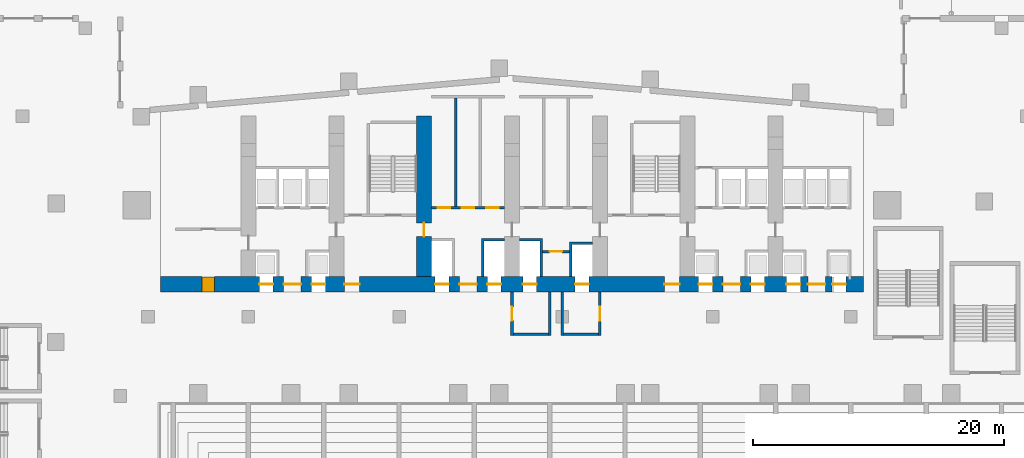
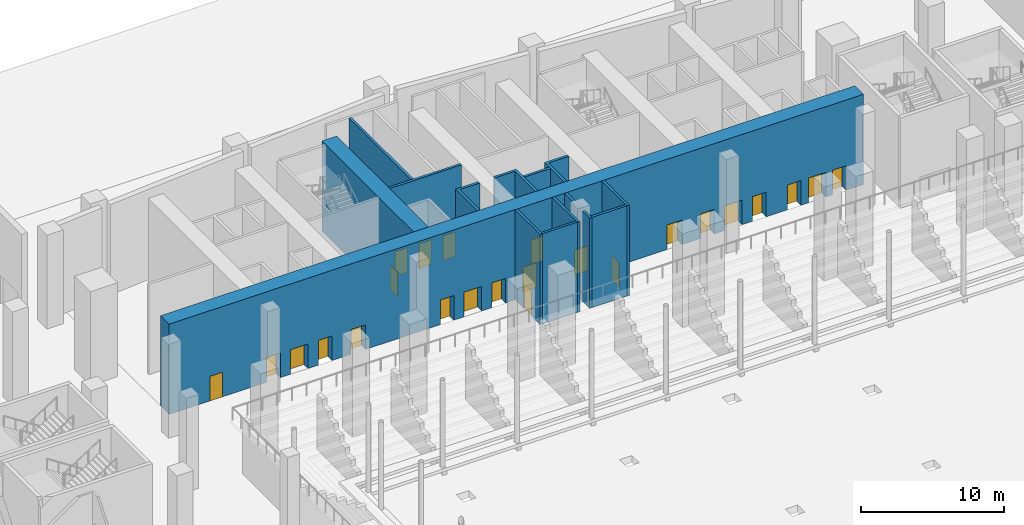
# One storey, part 25 of 41: 24 doors, 14 walls, 24 openings.
"""IFC4 building model written with IfcOpenShell, lengths in metres."""

from ifc_helpers import new_model, si_unit, direction, frame, frame_2d, origin, place, context, subcontext, project, spatial, polyline, rectangle, outline, extrude, material, layer, layer_set, type_object, element, fill, save


model = new_model("IFC4")

# Units and contexts
model_context = context("Model", 3, precision=1e-05, world=origin(), true_north=direction((0.0, 1.0)))
body_context = subcontext(model_context, "Body", "Model", "MODEL_VIEW")
ifc_project = project(units=[si_unit("LENGTHUNIT", "METRE"), si_unit("AREAUNIT", "SQUARE_METRE"), si_unit("VOLUMEUNIT", "CUBIC_METRE"), si_unit("PLANEANGLEUNIT", "RADIAN"), si_unit("MASSUNIT", "GRAM", prefix="KILO")], contexts=[model_context])

# Site, building, storey
site_placement = place(None, origin())
site = spatial("IfcSite", under=ifc_project, at=site_placement, CompositionType="ELEMENT")
building_placement = place(site_placement, origin())
building = spatial("IfcBuilding", under=site, at=building_placement, Name="Wharfspan Tower", CompositionType="ELEMENT")
storey_placement = place(building_placement, origin())
storey = spatial("IfcBuildingStorey", under=building, at=storey_placement, Name="L00", CompositionType="ELEMENT", Elevation=0.0)

# Wall
ifc_material_1 = material(Name="Calcium silicate masonry", Category="masonry")
ifc_layer_1 = layer(ifc_material_1, 0.199951)
ifc_layer_set_1 = layer_set([ifc_layer_1], Name="Calcium silicate masonry")
wall_type_1 = type_object("IfcWallType", Name="Core room wall 200", PredefinedType="PARTITIONING", material=ifc_layer_set_1)
wall_1_placement = place(storey_placement, frame((32.533203, 40.800049, 0.0), z_axis=(0.0, 0.0, 1.0), x_axis=(0.0, 1.0, 0.0)))
element("IfcWall", 1, at=wall_1_placement, inside=storey, type_object=wall_type_1, Name="sw:L00:RP3.1", PredefinedType="PARTITIONING", context=body_context, shape_type="SweptSolid", body=[
    extrude(rectangle(XDim=8.652588, YDim=0.199951, at=frame_2d((4.326172, 0.0))), origin(), (0.0, 0.0, 1.0), 7.699951),
])

# Wall, opening, door
wall_2_placement = place(storey_placement, frame((39.43335, 37.199951, 0.0), z_axis=(0.0, 0.0, 1.0), x_axis=(1.0, 0.0, 0.0)))
wall_2 = element("IfcWall", 2, at=wall_2_placement, inside=storey, type_object=wall_type_1, Name="sw:L00:FR4.2", PredefinedType="PARTITIONING", context=body_context, shape_type="SweptSolid", body=[
    extrude(rectangle(XDim=2.133301, YDim=0.199951, at=frame_2d((1.06665, 0.0))), origin(), (0.0, 0.0, 1.0), 7.699951),
])
opening_1_placement = place(wall_2_placement, frame((0.56665, 0.0, 0.0)))
opening_1 = element("IfcOpeningElement", 3, at=opening_1_placement, cuts=wall_2, Name="Opening CD00.4H2", PredefinedType="OPENING", context=body_context, shape_type="SweptSolid", body=[
    extrude(rectangle(XDim=1.0, YDim=2.100098, at=frame_2d((0.5, 1.050049))), frame((0.0, 0.109863, 0.0), z_axis=(0.0, -1.0, 0.0), x_axis=(1.0, 0.0, 0.0)), (0.0, 0.0, 1.0), 0.219971),
])
ifc_material_2 = material(Name="Steel door leaf", Category="steel")
door_type_1 = type_object("IfcDoorType", Name="Core room door 1000x2100", OperationType="SINGLE_SWING_LEFT", PredefinedType="DOOR", material=ifc_material_2)
door_1_placement = place(opening_1_placement, origin())
door_1 = element("IfcDoor", 4, at=door_1_placement, inside=storey, type_object=door_type_1, Name="d:L00:4:fh4.2", OperationType="SINGLE_SWING_RIGHT", OverallHeight=2.100098, OverallWidth=1.0, PredefinedType="DOOR", context=body_context, shape_type="SweptSolid", body=[
    extrude(rectangle(XDim=1.0, YDim=2.100098, at=frame_2d((0.5, 1.050049))), frame((0.0, 0.024902, 0.0), z_axis=(0.0, -1.0, 0.0), x_axis=(1.0, 0.0, 0.0)), (0.0, 0.0, 1.0), 0.050049),
])
fill(opening_1, door_1)

# Wall, openings, doors
ifc_material_3 = material(Name="Concrete C70/85", Category="concrete")
ifc_layer_2 = layer(ifc_material_3, 1.199951)
ifc_layer_set_2 = layer_set([ifc_layer_2], Name="Concrete C70/85")
wall_type_2 = type_object("IfcWallType", Name="Core wall fallback 1.2", PredefinedType="SHEAR", material=ifc_layer_set_2)
wall_3_placement = place(storey_placement, frame((9.0, 34.600098, 0.0), z_axis=(0.0, 0.0, 1.0), x_axis=(1.0, 0.0, 0.0)))
wall_3 = element("IfcWall", 5, at=wall_3_placement, inside=storey, type_object=wall_type_2, Name="cw:L00:FW", PredefinedType="SHEAR", context=body_context, shape_type="SweptSolid", body=[
    extrude(rectangle(XDim=56.0, YDim=1.199951, at=frame_2d((28.0, 0.0))), origin(), (0.0, 0.0, 1.0), 7.699951),
])
opening_2_placement = place(wall_3_placement, frame((3.300049, 0.0, 0.0)))
opening_2 = element("IfcOpeningElement", 6, at=opening_2_placement, cuts=wall_3, Name="Opening CD00.01", PredefinedType="OPENING", context=body_context, shape_type="SweptSolid", body=[
    extrude(rectangle(XDim=1.0, YDim=2.100098, at=frame_2d((0.5, 1.050049))), frame((0.0, 0.609863, 0.0), z_axis=(0.0, -1.0, 0.0), x_axis=(1.0, 0.0, 0.0)), (0.0, 0.0, 1.0), 1.219971),
])
opening_3_placement = place(wall_3_placement, frame((7.866699, 0.0, 0.0)))
opening_3 = element("IfcOpeningElement", 7, at=opening_3_placement, cuts=wall_3, Name="Opening LD.LA1.L00", PredefinedType="OPENING", context=body_context, shape_type="SweptSolid", body=[
    extrude(rectangle(XDim=1.100098, YDim=2.100098, at=frame_2d((0.550049, 1.050049))), frame((0.0, 0.609863, 0.0), z_axis=(0.0, -1.0, 0.0), x_axis=(1.0, 0.0, 0.0)), (0.0, 0.0, 1.0), 1.219971),
])
opening_4_placement = place(wall_3_placement, frame((12.033203, 0.0, 0.0)))
opening_4 = element("IfcOpeningElement", 8, at=opening_4_placement, cuts=wall_3, Name="Opening LD.LA2.L00", PredefinedType="OPENING", context=body_context, shape_type="SweptSolid", body=[
    extrude(rectangle(XDim=1.100098, YDim=2.100098, at=frame_2d((0.550049, 1.050049))), frame((0.0, 0.609863, 0.0), z_axis=(0.0, -1.0, 0.0), x_axis=(1.0, 0.0, 0.0)), (0.0, 0.0, 1.0), 1.219971),
])
opening_5_placement = place(wall_3_placement, frame((9.800049, 0.0, 0.0)))
opening_5 = element("IfcOpeningElement", 9, at=opening_5_placement, cuts=wall_3, Name="Opening HD00.1", PredefinedType="OPENING", context=body_context, shape_type="SweptSolid", body=[
    extrude(rectangle(XDim=1.399902, YDim=2.100098, at=frame_2d((0.699951, 1.050049))), frame((0.0, 0.609863, 0.0), z_axis=(0.0, -1.0, 0.0), x_axis=(1.0, 0.0, 0.0)), (0.0, 0.0, 1.0), 1.219971),
])
opening_6_placement = place(wall_3_placement, frame((14.649902, 0.0, 0.0)))
opening_6 = element("IfcOpeningElement", 10, at=opening_6_placement, cuts=wall_3, Name="Opening SV2.L00", PredefinedType="OPENING", context=body_context, shape_type="SweptSolid", body=[
    extrude(rectangle(XDim=1.199951, YDim=2.100098, at=frame_2d((0.600098, 1.050049))), frame((0.0, 0.609863, 0.0), z_axis=(0.0, -1.0, 0.0), x_axis=(1.0, 0.0, 0.0)), (0.0, 0.0, 1.0), 1.219971),
])
opening_7_placement = place(wall_3_placement, frame((21.866699, 0.0, 0.0)))
opening_7 = element("IfcOpeningElement", 11, at=opening_7_placement, cuts=wall_3, Name="Opening LD.SL1.L00", PredefinedType="OPENING", context=body_context, shape_type="SweptSolid", body=[
    extrude(rectangle(XDim=1.100098, YDim=2.100098, at=frame_2d((0.550049, 1.050049))), frame((0.0, 0.609863, 0.0), z_axis=(0.0, -1.0, 0.0), x_axis=(1.0, 0.0, 0.0)), (0.0, 0.0, 1.0), 1.219971),
])
opening_8_placement = place(wall_3_placement, frame((26.033203, 0.0, 0.0)))
opening_8 = element("IfcOpeningElement", 12, at=opening_8_placement, cuts=wall_3, Name="Opening LD.SL2.L00", PredefinedType="OPENING", context=body_context, shape_type="SweptSolid", body=[
    extrude(rectangle(XDim=1.100098, YDim=2.100098, at=frame_2d((0.550049, 1.050049))), frame((0.0, 0.609863, 0.0), z_axis=(0.0, -1.0, 0.0), x_axis=(1.0, 0.0, 0.0)), (0.0, 0.0, 1.0), 1.219971),
])
opening_9_placement = place(wall_3_placement, frame((23.800049, 0.0, 0.0)))
opening_9 = element("IfcOpeningElement", 13, at=opening_9_placement, cuts=wall_3, Name="Opening HD00.3", PredefinedType="OPENING", context=body_context, shape_type="SweptSolid", body=[
    extrude(rectangle(XDim=1.399902, YDim=2.100098, at=frame_2d((0.699951, 1.050049))), frame((0.0, 0.609863, 0.0), z_axis=(0.0, -1.0, 0.0), x_axis=(1.0, 0.0, 0.0)), (0.0, 0.0, 1.0), 1.219971),
])
opening_10_placement = place(wall_3_placement, frame((28.866699, 0.0, 0.0)))
opening_10 = element("IfcOpeningElement", 14, at=opening_10_placement, cuts=wall_3, Name="Opening LD.FF1.L00", PredefinedType="OPENING", context=body_context, shape_type="SweptSolid", body=[
    extrude(rectangle(XDim=1.100098, YDim=2.100098, at=frame_2d((0.550049, 1.050049))), frame((0.0, 0.609863, 0.0), z_axis=(0.0, -1.0, 0.0), x_axis=(1.0, 0.0, 0.0)), (0.0, 0.0, 1.0), 1.219971),
])
opening_11_placement = place(wall_3_placement, frame((33.033203, 0.0, 0.0)))
opening_11 = element("IfcOpeningElement", 15, at=opening_11_placement, cuts=wall_3, Name="Opening LD.FF2.L00", PredefinedType="OPENING", context=body_context, shape_type="SweptSolid", body=[
    extrude(rectangle(XDim=1.100098, YDim=2.100098, at=frame_2d((0.550049, 1.050049))), frame((0.0, 0.609863, 0.0), z_axis=(0.0, -1.0, 0.0), x_axis=(1.0, 0.0, 0.0)), (0.0, 0.0, 1.0), 1.219971),
])
opening_12_placement = place(wall_3_placement, frame((40.149902, 0.0, 0.0)))
opening_12 = element("IfcOpeningElement", 16, at=opening_12_placement, cuts=wall_3, Name="Opening SV5.L00", PredefinedType="OPENING", context=body_context, shape_type="SweptSolid", body=[
    extrude(rectangle(XDim=1.199951, YDim=2.100098, at=frame_2d((0.600098, 1.050049))), frame((0.0, 0.609863, 0.0), z_axis=(0.0, -1.0, 0.0), x_axis=(1.0, 0.0, 0.0)), (0.0, 0.0, 1.0), 1.219971),
])
opening_13_placement = place(wall_3_placement, frame((42.866699, 0.0, 0.0)))
opening_13 = element("IfcOpeningElement", 17, at=opening_13_placement, cuts=wall_3, Name="Opening LD.LS1.L00", PredefinedType="OPENING", context=body_context, shape_type="SweptSolid", body=[
    extrude(rectangle(XDim=1.100098, YDim=2.100098, at=frame_2d((0.550049, 1.050049))), frame((0.0, 0.609863, 0.0), z_axis=(0.0, -1.0, 0.0), x_axis=(1.0, 0.0, 0.0)), (0.0, 0.0, 1.0), 1.219971),
])
opening_14_placement = place(wall_3_placement, frame((47.033203, 0.0, 0.0)))
opening_14 = element("IfcOpeningElement", 18, at=opening_14_placement, cuts=wall_3, Name="Opening LD.LS2.L00", PredefinedType="OPENING", context=body_context, shape_type="SweptSolid", body=[
    extrude(rectangle(XDim=1.100098, YDim=2.100098, at=frame_2d((0.550049, 1.050049))), frame((0.0, 0.609863, 0.0), z_axis=(0.0, -1.0, 0.0), x_axis=(1.0, 0.0, 0.0)), (0.0, 0.0, 1.0), 1.219971),
])
opening_15_placement = place(wall_3_placement, frame((44.800049, 0.0, 0.0)))
opening_15 = element("IfcOpeningElement", 19, at=opening_15_placement, cuts=wall_3, Name="Opening HD00.6", PredefinedType="OPENING", context=body_context, shape_type="SweptSolid", body=[
    extrude(rectangle(XDim=1.399902, YDim=2.100098, at=frame_2d((0.699951, 1.050049))), frame((0.0, 0.609863, 0.0), z_axis=(0.0, -1.0, 0.0), x_axis=(1.0, 0.0, 0.0)), (0.0, 0.0, 1.0), 1.219971),
])
opening_16_placement = place(wall_3_placement, frame((49.866699, 0.0, 0.0)))
opening_16 = element("IfcOpeningElement", 20, at=opening_16_placement, cuts=wall_3, Name="Opening LD.LA6.L00", PredefinedType="OPENING", context=body_context, shape_type="SweptSolid", body=[
    extrude(rectangle(XDim=1.100098, YDim=2.100098, at=frame_2d((0.550049, 1.050049))), frame((0.0, 0.609863, 0.0), z_axis=(0.0, -1.0, 0.0), x_axis=(1.0, 0.0, 0.0)), (0.0, 0.0, 1.0), 1.219971),
])
opening_17_placement = place(wall_3_placement, frame((53.5, 0.0, 0.0)))
opening_17 = element("IfcOpeningElement", 21, at=opening_17_placement, cuts=wall_3, Name="Opening LD.LA7.L00", PredefinedType="OPENING", context=body_context, shape_type="SweptSolid", body=[
    extrude(rectangle(XDim=1.100098, YDim=2.100098, at=frame_2d((0.550049, 1.050049))), frame((0.0, 0.609863, 0.0), z_axis=(0.0, -1.0, 0.0), x_axis=(1.0, 0.0, 0.0)), (0.0, 0.0, 1.0), 1.219971),
])
opening_18_placement = place(wall_3_placement, frame((51.56665, 0.0, 0.0)))
opening_18 = element("IfcOpeningElement", 22, at=opening_18_placement, cuts=wall_3, Name="Opening HD00.7", PredefinedType="OPENING", context=body_context, shape_type="SweptSolid", body=[
    extrude(rectangle(XDim=1.399902, YDim=2.100098, at=frame_2d((0.699951, 1.050049))), frame((0.0, 0.609863, 0.0), z_axis=(0.0, -1.0, 0.0), x_axis=(1.0, 0.0, 0.0)), (0.0, 0.0, 1.0), 1.219971),
])
door_2_placement = place(opening_2_placement, origin())
door_2 = element("IfcDoor", 23, at=door_2_placement, inside=storey, type_object=door_type_1, Name="d:L00:0:rf", OperationType="SINGLE_SWING_LEFT", OverallHeight=2.100098, OverallWidth=1.0, PredefinedType="DOOR", context=body_context, shape_type="SweptSolid", body=[
    extrude(rectangle(XDim=1.0, YDim=2.100098, at=frame_2d((0.5, 1.050049))), frame((0.0, 0.599609, 0.0), z_axis=(0.0, -1.0, 0.0), x_axis=(1.0, 0.0, 0.0)), (0.0, 0.0, 1.0), 1.199463),
])
fill(opening_2, door_2)
door_type_2 = type_object("IfcDoorType", Name="Hall entry door 1400x2100", OperationType="DOUBLE_DOOR_SINGLE_SWING", PredefinedType="DOOR", material=ifc_material_2)
door_3_placement = place(opening_5_placement, origin())
door_3 = element("IfcDoor", 24, at=door_3_placement, inside=storey, type_object=door_type_2, Name="d:L00:1:hd1", OperationType="DOUBLE_DOOR_SINGLE_SWING", OverallHeight=2.100098, OverallWidth=1.399902, PredefinedType="DOOR", context=body_context, shape_type="SweptSolid", body=[
    extrude(rectangle(XDim=1.399902, YDim=2.100098, at=frame_2d((0.699951, 1.050049))), frame((0.0, 0.024902, 0.0), z_axis=(0.0, -1.0, 0.0), x_axis=(1.0, 0.0, 0.0)), (0.0, 0.0, 1.0), 0.050049),
])
fill(opening_5, door_3)
door_4_placement = place(opening_9_placement, origin())
door_4 = element("IfcDoor", 25, at=door_4_placement, inside=storey, type_object=door_type_2, Name="d:L00:3:hd3", OperationType="DOUBLE_DOOR_SINGLE_SWING", OverallHeight=2.100098, OverallWidth=1.399902, PredefinedType="DOOR", context=body_context, shape_type="SweptSolid", body=[
    extrude(rectangle(XDim=1.399902, YDim=2.100098, at=frame_2d((0.699951, 1.050049))), frame((0.0, 0.024902, 0.0), z_axis=(0.0, -1.0, 0.0), x_axis=(1.0, 0.0, 0.0)), (0.0, 0.0, 1.0), 0.050049),
])
fill(opening_9, door_4)
door_5_placement = place(opening_15_placement, origin())
door_5 = element("IfcDoor", 26, at=door_5_placement, inside=storey, type_object=door_type_2, Name="d:L00:6:hd6", OperationType="DOUBLE_DOOR_SINGLE_SWING", OverallHeight=2.100098, OverallWidth=1.399902, PredefinedType="DOOR", context=body_context, shape_type="SweptSolid", body=[
    extrude(rectangle(XDim=1.399902, YDim=2.100098, at=frame_2d((0.699951, 1.050049))), frame((0.0, 0.024902, 0.0), z_axis=(0.0, -1.0, 0.0), x_axis=(1.0, 0.0, 0.0)), (0.0, 0.0, 1.0), 0.050049),
])
fill(opening_15, door_5)
door_6_placement = place(opening_18_placement, origin())
door_6 = element("IfcDoor", 27, at=door_6_placement, inside=storey, type_object=door_type_2, Name="d:L00:7:hd7", OperationType="DOUBLE_DOOR_SINGLE_SWING", OverallHeight=2.100098, OverallWidth=1.399902, PredefinedType="DOOR", context=body_context, shape_type="SweptSolid", body=[
    extrude(rectangle(XDim=1.399902, YDim=2.100098, at=frame_2d((0.699951, 1.050049))), frame((0.0, 0.024902, 0.0), z_axis=(0.0, -1.0, 0.0), x_axis=(1.0, 0.0, 0.0)), (0.0, 0.0, 1.0), 0.050049),
])
fill(opening_18, door_6)
ifc_material_4 = material(Name="Stainless steel", Category="steel")
door_type_3 = type_object("IfcDoorType", Name="Lift landing door 1100x2100", OperationType="DOUBLE_DOOR_SLIDING", PredefinedType="DOOR", material=ifc_material_4)
door_7_placement = place(opening_3_placement, origin())
door_7 = element("IfcDoor", 28, at=door_7_placement, inside=storey, type_object=door_type_3, Name="Landing door LA1 L00", OperationType="DOUBLE_DOOR_SLIDING", OverallHeight=2.100098, OverallWidth=1.100098, PredefinedType="DOOR", context=body_context, shape_type="SweptSolid", body=[
    extrude(rectangle(XDim=1.100098, YDim=2.100098, at=frame_2d((0.550049, 1.050049))), frame((0.0, 0.024902, 0.0), z_axis=(0.0, -1.0, 0.0), x_axis=(1.0, 0.0, 0.0)), (0.0, 0.0, 1.0), 0.050049),
])
fill(opening_3, door_7)
door_8_placement = place(opening_4_placement, origin())
door_8 = element("IfcDoor", 29, at=door_8_placement, inside=storey, type_object=door_type_3, Name="Landing door LA2 L00", OperationType="DOUBLE_DOOR_SLIDING", OverallHeight=2.100098, OverallWidth=1.100098, PredefinedType="DOOR", context=body_context, shape_type="SweptSolid", body=[
    extrude(rectangle(XDim=1.100098, YDim=2.100098, at=frame_2d((0.550049, 1.050049))), frame((0.0, 0.024902, 0.0), z_axis=(0.0, -1.0, 0.0), x_axis=(1.0, 0.0, 0.0)), (0.0, 0.0, 1.0), 0.050049),
])
fill(opening_4, door_8)
door_9_placement = place(opening_7_placement, origin())
door_9 = element("IfcDoor", 30, at=door_9_placement, inside=storey, type_object=door_type_3, Name="Landing door SL1 L00", OperationType="DOUBLE_DOOR_SLIDING", OverallHeight=2.100098, OverallWidth=1.100098, PredefinedType="DOOR", context=body_context, shape_type="SweptSolid", body=[
    extrude(rectangle(XDim=1.100098, YDim=2.100098, at=frame_2d((0.550049, 1.050049))), frame((0.0, 0.024902, 0.0), z_axis=(0.0, -1.0, 0.0), x_axis=(1.0, 0.0, 0.0)), (0.0, 0.0, 1.0), 0.050049),
])
fill(opening_7, door_9)
door_10_placement = place(opening_8_placement, origin())
door_10 = element("IfcDoor", 31, at=door_10_placement, inside=storey, type_object=door_type_3, Name="Landing door SL2 L00", OperationType="DOUBLE_DOOR_SLIDING", OverallHeight=2.100098, OverallWidth=1.100098, PredefinedType="DOOR", context=body_context, shape_type="SweptSolid", body=[
    extrude(rectangle(XDim=1.100098, YDim=2.100098, at=frame_2d((0.550049, 1.050049))), frame((0.0, 0.024902, 0.0), z_axis=(0.0, -1.0, 0.0), x_axis=(1.0, 0.0, 0.0)), (0.0, 0.0, 1.0), 0.050049),
])
fill(opening_8, door_10)
door_11_placement = place(opening_10_placement, origin())
door_11 = element("IfcDoor", 32, at=door_11_placement, inside=storey, type_object=door_type_3, Name="Landing door FF1 L00", OperationType="DOUBLE_DOOR_SLIDING", OverallHeight=2.100098, OverallWidth=1.100098, PredefinedType="DOOR", context=body_context, shape_type="SweptSolid", body=[
    extrude(rectangle(XDim=1.100098, YDim=2.100098, at=frame_2d((0.550049, 1.050049))), frame((0.0, 0.024902, 0.0), z_axis=(0.0, -1.0, 0.0), x_axis=(1.0, 0.0, 0.0)), (0.0, 0.0, 1.0), 0.050049),
])
fill(opening_10, door_11)
door_12_placement = place(opening_11_placement, origin())
door_12 = element("IfcDoor", 33, at=door_12_placement, inside=storey, type_object=door_type_3, Name="Landing door FF2 L00", OperationType="DOUBLE_DOOR_SLIDING", OverallHeight=2.100098, OverallWidth=1.100098, PredefinedType="DOOR", context=body_context, shape_type="SweptSolid", body=[
    extrude(rectangle(XDim=1.100098, YDim=2.100098, at=frame_2d((0.550049, 1.050049))), frame((0.0, 0.024902, 0.0), z_axis=(0.0, -1.0, 0.0), x_axis=(1.0, 0.0, 0.0)), (0.0, 0.0, 1.0), 0.050049),
])
fill(opening_11, door_12)
door_13_placement = place(opening_13_placement, origin())
door_13 = element("IfcDoor", 34, at=door_13_placement, inside=storey, type_object=door_type_3, Name="Landing door LS1 L00", OperationType="DOUBLE_DOOR_SLIDING", OverallHeight=2.100098, OverallWidth=1.100098, PredefinedType="DOOR", context=body_context, shape_type="SweptSolid", body=[
    extrude(rectangle(XDim=1.100098, YDim=2.100098, at=frame_2d((0.550049, 1.050049))), frame((0.0, 0.024902, 0.0), z_axis=(0.0, -1.0, 0.0), x_axis=(1.0, 0.0, 0.0)), (0.0, 0.0, 1.0), 0.050049),
])
fill(opening_13, door_13)
door_14_placement = place(opening_14_placement, origin())
door_14 = element("IfcDoor", 35, at=door_14_placement, inside=storey, type_object=door_type_3, Name="Landing door LS2 L00", OperationType="DOUBLE_DOOR_SLIDING", OverallHeight=2.100098, OverallWidth=1.100098, PredefinedType="DOOR", context=body_context, shape_type="SweptSolid", body=[
    extrude(rectangle(XDim=1.100098, YDim=2.100098, at=frame_2d((0.550049, 1.050049))), frame((0.0, 0.024902, 0.0), z_axis=(0.0, -1.0, 0.0), x_axis=(1.0, 0.0, 0.0)), (0.0, 0.0, 1.0), 0.050049),
])
fill(opening_14, door_14)
door_15_placement = place(opening_16_placement, origin())
door_15 = element("IfcDoor", 36, at=door_15_placement, inside=storey, type_object=door_type_3, Name="Landing door LA6 L00", OperationType="DOUBLE_DOOR_SLIDING", OverallHeight=2.100098, OverallWidth=1.100098, PredefinedType="DOOR", context=body_context, shape_type="SweptSolid", body=[
    extrude(rectangle(XDim=1.100098, YDim=2.100098, at=frame_2d((0.550049, 1.050049))), frame((0.0, 0.024902, 0.0), z_axis=(0.0, -1.0, 0.0), x_axis=(1.0, 0.0, 0.0)), (0.0, 0.0, 1.0), 0.050049),
])
fill(opening_16, door_15)
door_16_placement = place(opening_17_placement, origin())
door_16 = element("IfcDoor", 37, at=door_16_placement, inside=storey, type_object=door_type_3, Name="Landing door LA7 L00", OperationType="DOUBLE_DOOR_SLIDING", OverallHeight=2.100098, OverallWidth=1.100098, PredefinedType="DOOR", context=body_context, shape_type="SweptSolid", body=[
    extrude(rectangle(XDim=1.100098, YDim=2.100098, at=frame_2d((0.550049, 1.050049))), frame((0.0, 0.024902, 0.0), z_axis=(0.0, -1.0, 0.0), x_axis=(1.0, 0.0, 0.0)), (0.0, 0.0, 1.0), 0.050049),
])
fill(opening_17, door_16)
door_type_4 = type_object("IfcDoorType", Name="Stair door 1200x2100", OperationType="SINGLE_SWING_LEFT", PredefinedType="DOOR", material=ifc_material_2)
door_17_placement = place(opening_6_placement, origin())
door_17 = element("IfcDoor", 38, at=door_17_placement, inside=storey, type_object=door_type_4, Name="vd:L00:2", OperationType="SINGLE_SWING_LEFT", OverallHeight=2.100098, OverallWidth=1.199951, PredefinedType="DOOR", context=body_context, shape_type="SweptSolid", body=[
    extrude(rectangle(XDim=1.199951, YDim=2.100098, at=frame_2d((0.600098, 1.050049))), frame((0.0, 0.024902, 0.0), z_axis=(0.0, -1.0, 0.0), x_axis=(1.0, 0.0, 0.0)), (0.0, 0.0, 1.0), 0.050049),
])
fill(opening_6, door_17)
door_18_placement = place(opening_12_placement, origin())
door_18 = element("IfcDoor", 39, at=door_18_placement, inside=storey, type_object=door_type_4, Name="vd:L00:5", OperationType="SINGLE_SWING_LEFT", OverallHeight=2.100098, OverallWidth=1.199951, PredefinedType="DOOR", context=body_context, shape_type="SweptSolid", body=[
    extrude(rectangle(XDim=1.199951, YDim=2.100098, at=frame_2d((0.600098, 1.050049))), frame((0.0, 0.024902, 0.0), z_axis=(0.0, -1.0, 0.0), x_axis=(1.0, 0.0, 0.0)), (0.0, 0.0, 1.0), 0.050049),
])
fill(opening_12, door_18)

# Wall, opening, door
wall_4_placement = place(storey_placement, frame((30.0, 35.199951, 0.0), z_axis=(0.0, 0.0, 1.0), x_axis=(0.0, 1.0, 0.0)))
wall_4 = element("IfcWall", 40, at=wall_4_placement, inside=storey, type_object=wall_type_2, Name="cw:L00:X3", PredefinedType="SHEAR", context=body_context, shape_type="SweptSolid", body=[
    extrude(rectangle(XDim=12.800049, YDim=1.199951, at=frame_2d((6.399902, 0.0))), origin(), (0.0, 0.0, 1.0), 7.699951),
])
opening_19_placement = place(wall_4_placement, frame((3.199951, 0.0, 0.0)))
opening_19 = element("IfcOpeningElement", 41, at=opening_19_placement, cuts=wall_4, Name="Opening CC00.3", PredefinedType="OPENING", context=body_context, shape_type="SweptSolid", body=[
    extrude(rectangle(XDim=1.100098, YDim=2.100098, at=frame_2d((0.550049, 1.050049))), frame((0.0, 0.609863, 0.0), z_axis=(0.0, -1.0, 0.0), x_axis=(1.0, 0.0, 0.0)), (0.0, 0.0, 1.0), 1.219971),
])
door_type_5 = type_object("IfcDoorType", Name="Core corridor door 1100x2100", OperationType="SINGLE_SWING_LEFT", PredefinedType="DOOR", material=ifc_material_2)
door_19_placement = place(opening_19_placement, origin())
door_19 = element("IfcDoor", 42, at=door_19_placement, inside=storey, type_object=door_type_5, Name="xd:L00:3", OperationType="SINGLE_SWING_LEFT", OverallHeight=2.100098, OverallWidth=1.100098, PredefinedType="DOOR", context=body_context, shape_type="SweptSolid", body=[
    extrude(rectangle(XDim=1.100098, YDim=2.100098, at=frame_2d((0.550049, 1.050049))), frame((0.0, 0.024902, 0.0), z_axis=(0.0, -1.0, 0.0), x_axis=(1.0, 0.0, 0.0)), (0.0, 0.0, 1.0), 0.050049),
])
fill(opening_19, door_19)

# Wall, openings, doors
ifc_material_5 = material(Name="Concrete C30/37", Category="concrete")
ifc_layer_3 = layer(ifc_material_5, 0.199951)
ifc_layer_set_3 = layer_set([ifc_layer_3], Name="Concrete C30/37")
wall_type_3 = type_object("IfcWallType", Name="Lift shaft wall 200", PredefinedType="PARTITIONING", material=ifc_layer_set_3)
wall_5_placement = place(storey_placement, frame((30.600098, 40.699951, 0.0), z_axis=(0.0, 0.0, 1.0), x_axis=(1.0, 0.0, 0.0)))
wall_5 = element("IfcWall", 43, at=wall_5_placement, inside=storey, type_object=wall_type_3, Name="sw:L00:RF3", PredefinedType="PARTITIONING", context=body_context, shape_type="SweptSolid", body=[
    extrude(rectangle(XDim=5.799805, YDim=0.199951, at=frame_2d((2.899902, 0.0))), origin(), (0.0, 0.0, 1.0), 7.699951),
])
opening_20_placement = place(wall_5_placement, frame((0.466797, 0.0, 0.0)))
opening_20 = element("IfcOpeningElement", 44, at=opening_20_placement, cuts=wall_5, Name="Opening CD00.3S", PredefinedType="OPENING", context=body_context, shape_type="SweptSolid", body=[
    extrude(rectangle(XDim=1.0, YDim=2.100098, at=frame_2d((0.5, 1.050049))), frame((0.0, 0.109863, 0.0), z_axis=(0.0, -1.0, 0.0), x_axis=(1.0, 0.0, 0.0)), (0.0, 0.0, 1.0), 0.219971),
])
opening_21_placement = place(wall_5_placement, frame((2.399902, 0.0, 0.0)))
opening_21 = element("IfcOpeningElement", 45, at=opening_21_placement, cuts=wall_5, Name="Opening CD00.3Sa", PredefinedType="OPENING", context=body_context, shape_type="SweptSolid", body=[
    extrude(rectangle(XDim=1.0, YDim=2.100098, at=frame_2d((0.5, 1.050049))), frame((0.0, 0.109863, 0.0), z_axis=(0.0, -1.0, 0.0), x_axis=(1.0, 0.0, 0.0)), (0.0, 0.0, 1.0), 0.219971),
])
opening_22_placement = place(wall_5_placement, frame((4.333252, 0.0, 0.0)))
opening_22 = element("IfcOpeningElement", 46, at=opening_22_placement, cuts=wall_5, Name="Opening CD00.3Sb", PredefinedType="OPENING", context=body_context, shape_type="SweptSolid", body=[
    extrude(rectangle(XDim=1.0, YDim=2.100098, at=frame_2d((0.5, 1.050049))), frame((0.0, 0.109863, 0.0), z_axis=(0.0, -1.0, 0.0), x_axis=(1.0, 0.0, 0.0)), (0.0, 0.0, 1.0), 0.219971),
])
door_20_placement = place(opening_20_placement, origin())
door_20 = element("IfcDoor", 47, at=door_20_placement, inside=storey, type_object=door_type_1, Name="d:L00:3:sf", OperationType="SINGLE_SWING_LEFT", OverallHeight=2.100098, OverallWidth=1.0, PredefinedType="DOOR", context=body_context, shape_type="SweptSolid", body=[
    extrude(rectangle(XDim=1.0, YDim=2.100098, at=frame_2d((0.5, 1.050049))), frame((0.0, 0.024902, 0.0), z_axis=(0.0, -1.0, 0.0), x_axis=(1.0, 0.0, 0.0)), (0.0, 0.0, 1.0), 0.050049),
])
fill(opening_20, door_20)
door_21_placement = place(opening_21_placement, origin())
door_21 = element("IfcDoor", 48, at=door_21_placement, inside=storey, type_object=door_type_1, Name="d:L00:3:sf1", OperationType="SINGLE_SWING_LEFT", OverallHeight=2.100098, OverallWidth=1.0, PredefinedType="DOOR", context=body_context, shape_type="SweptSolid", body=[
    extrude(rectangle(XDim=1.0, YDim=2.100098, at=frame_2d((0.5, 1.050049))), frame((0.0, 0.024902, 0.0), z_axis=(0.0, -1.0, 0.0), x_axis=(1.0, 0.0, 0.0)), (0.0, 0.0, 1.0), 0.050049),
])
fill(opening_21, door_21)
door_22_placement = place(opening_22_placement, origin())
door_22 = element("IfcDoor", 49, at=door_22_placement, inside=storey, type_object=door_type_1, Name="d:L00:3:sf2", OperationType="SINGLE_SWING_LEFT", OverallHeight=2.100098, OverallWidth=1.0, PredefinedType="DOOR", context=body_context, shape_type="SweptSolid", body=[
    extrude(rectangle(XDim=1.0, YDim=2.100098, at=frame_2d((0.5, 1.050049))), frame((0.0, 0.024902, 0.0), z_axis=(0.0, -1.0, 0.0), x_axis=(1.0, 0.0, 0.0)), (0.0, 0.0, 1.0), 0.050049),
])
fill(opening_22, door_22)

# Walls
wall_6_placement = place(storey_placement, frame((0.0, 0.0, -0.000244)))
element("IfcWall", 50, at=wall_6_placement, inside=storey, type_object=wall_type_3, Name="sw:L00:FM3.1", PredefinedType="PARTITIONING", context=body_context, shape_type="SweptSolid", body=[
    extrude(outline(polyline([(34.56665, 38.25), (34.766602, 38.25), (36.399902, 38.25), (36.399902, 38.050049), (34.766602, 38.050049), (34.766602, 35.199951), (34.56665, 35.199951), (34.56665, 38.25)])), origin(), (0.0, 0.0, 1.0), 7.700195),
])
wall_7_placement = place(storey_placement, frame((0.0, 0.0, -0.000244)))
element("IfcWall", 51, at=wall_7_placement, inside=storey, type_object=wall_type_3, Name="sw:L00:FM4.0", PredefinedType="PARTITIONING", context=body_context, shape_type="SweptSolid", body=[
    extrude(outline(polyline([(41.56665, 37.949951), (41.766602, 37.949951), (43.399902, 37.949951), (43.399902, 37.75), (41.766602, 37.75), (41.766602, 35.199951), (41.56665, 35.199951), (41.56665, 37.949951)])), origin(), (0.0, 0.0, 1.0), 7.700195),
])
wall_8_placement = place(storey_placement, frame((0.0, 0.0, -0.000244)))
element("IfcWall", 52, at=wall_8_placement, inside=storey, type_object=wall_type_3, Name="sw:L00:FM4.1", PredefinedType="PARTITIONING", context=body_context, shape_type="SweptSolid", body=[
    extrude(outline(polyline([(39.233398, 38.050049), (37.600098, 38.050049), (37.600098, 38.25), (39.233398, 38.25), (39.43335, 38.25), (39.43335, 35.199951), (39.233398, 35.199951), (39.233398, 38.050049)])), origin(), (0.0, 0.0, 1.0), 7.700195),
])

# Wall, opening, door
ifc_layer_4 = layer(ifc_material_5, 0.199951)
ifc_layer_set_4 = layer_set([ifc_layer_4], Name="Concrete C30/37")
wall_type_4 = type_object("IfcWallType", Name="Lobby wall 200", PredefinedType="PARTITIONING", material=ifc_layer_set_4)
wall_9_placement = place(storey_placement, frame((37.0, 30.5, 0.0), z_axis=(0.0, 0.0, 1.0), x_axis=(0.0, 1.0, 0.0)))
wall_9 = element("IfcWall", 53, at=wall_9_placement, inside=storey, type_object=wall_type_4, Name="sw:L00:FLFF1W", PredefinedType="PARTITIONING", context=body_context, shape_type="SweptSolid", body=[
    extrude(rectangle(XDim=3.5, YDim=0.199951, at=frame_2d((1.75, 0.0))), origin(), (0.0, 0.0, 1.0), 7.699951),
])
opening_23_placement = place(wall_9_placement, frame((1.199951, 0.0, 0.0)))
opening_23 = element("IfcOpeningElement", 54, at=opening_23_placement, cuts=wall_9, Name="Opening FL.FF1.L00", PredefinedType="OPENING", context=body_context, shape_type="SweptSolid", body=[
    extrude(rectangle(XDim=1.100098, YDim=2.100098, at=frame_2d((0.550049, 1.050049))), frame((0.0, 0.109863, 0.0), z_axis=(0.0, -1.0, 0.0), x_axis=(1.0, 0.0, 0.0)), (0.0, 0.0, 1.0), 0.219971),
])
door_type_6 = type_object("IfcDoorType", Name="Firefighting lobby door 1100x2100", OperationType="SINGLE_SWING_LEFT", PredefinedType="DOOR", material=ifc_material_2)
door_23_placement = place(opening_23_placement, origin())
door_23 = element("IfcDoor", 55, at=door_23_placement, inside=storey, type_object=door_type_6, Name="fd:L00:FF1", OperationType="SINGLE_SWING_LEFT", OverallHeight=2.100098, OverallWidth=1.100098, PredefinedType="DOOR", context=body_context, shape_type="SweptSolid", body=[
    extrude(rectangle(XDim=1.100098, YDim=2.100098, at=frame_2d((0.550049, 1.050049))), frame((0.0, 0.024902, 0.0), z_axis=(0.0, -1.0, 0.0), x_axis=(1.0, 0.0, 0.0)), (0.0, 0.0, 1.0), 0.050049),
])
fill(opening_23, door_23)

# Walls
wall_10_placement = place(storey_placement, frame((40.0, 30.5, 0.0), z_axis=(0.0, 0.0, 1.0), x_axis=(0.0, 1.0, 0.0)))
element("IfcWall", 56, at=wall_10_placement, inside=storey, type_object=wall_type_4, Name="sw:L00:FLFF1E", PredefinedType="PARTITIONING", context=body_context, shape_type="SweptSolid", body=[
    extrude(rectangle(XDim=3.5, YDim=0.199951, at=frame_2d((1.75, 0.0))), origin(), (0.0, 0.0, 1.0), 7.699951),
])
wall_11_placement = place(storey_placement, frame((37.100098, 30.600098, 0.0), z_axis=(0.0, 0.0, 1.0), x_axis=(1.0, 0.0, 0.0)))
element("IfcWall", 57, at=wall_11_placement, inside=storey, type_object=wall_type_4, Name="sw:L00:FLFF1F", PredefinedType="PARTITIONING", context=body_context, shape_type="SweptSolid", body=[
    extrude(rectangle(XDim=2.799805, YDim=0.199951, at=frame_2d((1.399902, 0.0))), origin(), (0.0, 0.0, 1.0), 7.699951),
])
wall_12_placement = place(storey_placement, frame((41.0, 30.5, 0.0), z_axis=(0.0, 0.0, 1.0), x_axis=(0.0, 1.0, 0.0)))
element("IfcWall", 58, at=wall_12_placement, inside=storey, type_object=wall_type_4, Name="sw:L00:FLFF2W", PredefinedType="PARTITIONING", context=body_context, shape_type="SweptSolid", body=[
    extrude(rectangle(XDim=3.5, YDim=0.199951, at=frame_2d((1.75, 0.0))), origin(), (0.0, 0.0, 1.0), 7.699951),
])

# Wall, opening, door
wall_13_placement = place(storey_placement, frame((44.0, 30.5, 0.0), z_axis=(0.0, 0.0, 1.0), x_axis=(0.0, 1.0, 0.0)))
wall_13 = element("IfcWall", 59, at=wall_13_placement, inside=storey, type_object=wall_type_4, Name="sw:L00:FLFF2E", PredefinedType="PARTITIONING", context=body_context, shape_type="SweptSolid", body=[
    extrude(rectangle(XDim=3.5, YDim=0.199951, at=frame_2d((1.75, 0.0))), origin(), (0.0, 0.0, 1.0), 7.699951),
])
opening_24_placement = place(wall_13_placement, frame((1.199951, 0.0, 0.0)))
opening_24 = element("IfcOpeningElement", 60, at=opening_24_placement, cuts=wall_13, Name="Opening FL.FF2.L00", PredefinedType="OPENING", context=body_context, shape_type="SweptSolid", body=[
    extrude(rectangle(XDim=1.100098, YDim=2.100098, at=frame_2d((0.550049, 1.050049))), frame((0.0, 0.109863, 0.0), z_axis=(0.0, -1.0, 0.0), x_axis=(1.0, 0.0, 0.0)), (0.0, 0.0, 1.0), 0.219971),
])
door_24_placement = place(opening_24_placement, origin())
door_24 = element("IfcDoor", 61, at=door_24_placement, inside=storey, type_object=door_type_6, Name="fd:L00:FF2", OperationType="SINGLE_SWING_LEFT", OverallHeight=2.100098, OverallWidth=1.100098, PredefinedType="DOOR", context=body_context, shape_type="SweptSolid", body=[
    extrude(rectangle(XDim=1.100098, YDim=2.100098, at=frame_2d((0.550049, 1.050049))), frame((0.0, 0.024902, 0.0), z_axis=(0.0, -1.0, 0.0), x_axis=(1.0, 0.0, 0.0)), (0.0, 0.0, 1.0), 0.050049),
])
fill(opening_24, door_24)

# Wall
wall_14_placement = place(storey_placement, frame((41.100098, 30.600098, 0.0), z_axis=(0.0, 0.0, 1.0), x_axis=(1.0, 0.0, 0.0)))
element("IfcWall", 62, at=wall_14_placement, inside=storey, type_object=wall_type_4, Name="sw:L00:FLFF2F", PredefinedType="PARTITIONING", context=body_context, shape_type="SweptSolid", body=[
    extrude(rectangle(XDim=2.799805, YDim=0.199951, at=frame_2d((1.399902, 0.0))), origin(), (0.0, 0.0, 1.0), 7.699951),
])

save(model, "model.ifc")
